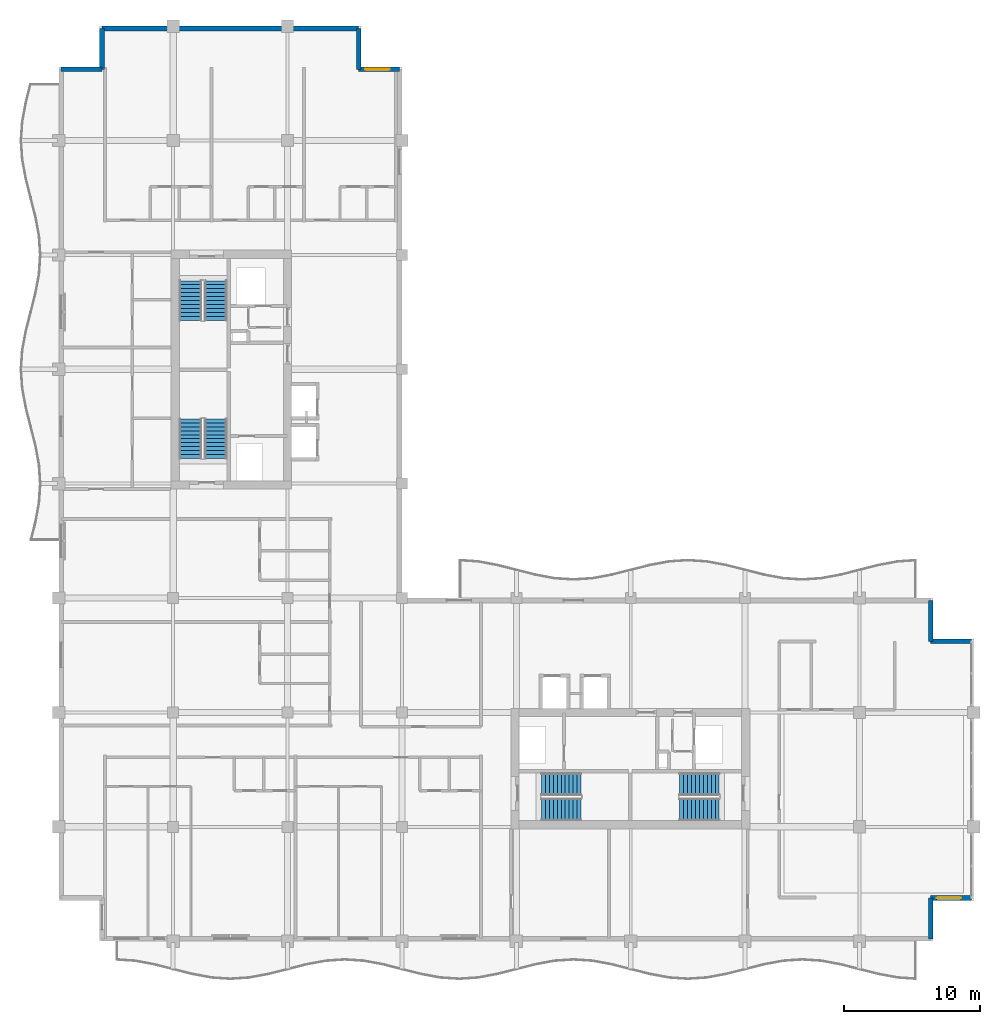
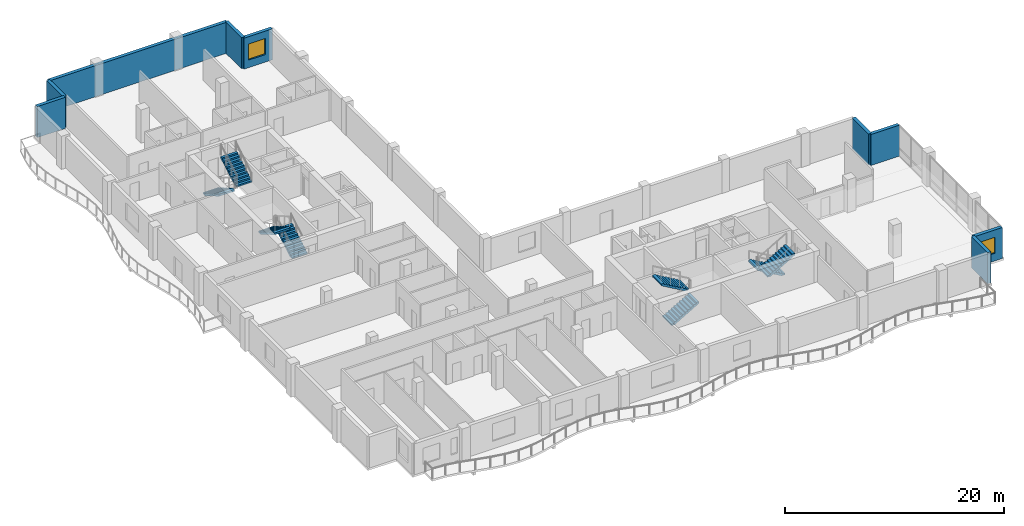
# One storey, part 11 of 16: 9 walls, 8 stair flights, 2 windows, 2 openings, 4 elements without a shape of their own.
"""IFC4 building model written with IfcOpenShell, lengths in metres."""

from ifc_helpers import new_model, si_unit, direction, frame, frame_2d, origin, place, context, subcontext, project, spatial, polyline, rectangle, outline, extrude, material, layer, layer_set, type_object, element, fill, aggregate, save


model = new_model("IFC4")

# Units and contexts
model_context = context("Model", 3, precision=1e-05, world=origin(), true_north=direction((0.0, 1.0)))
body_context = subcontext(model_context, "Body", "Model", "MODEL_VIEW")
ifc_project = project(units=[si_unit("LENGTHUNIT", "METRE"), si_unit("AREAUNIT", "SQUARE_METRE"), si_unit("VOLUMEUNIT", "CUBIC_METRE"), si_unit("PLANEANGLEUNIT", "RADIAN"), si_unit("MASSUNIT", "GRAM", prefix="KILO")], contexts=[model_context])

# Site, building, storey
site_placement = place(None, origin())
site = spatial("IfcSite", under=ifc_project, at=site_placement, CompositionType="ELEMENT")
building_placement = place(site_placement, origin())
building = spatial("IfcBuilding", under=site, at=building_placement, Name="Koriwani Terraces Tower", CompositionType="ELEMENT")
storey_placement = place(building_placement, frame((0.0, 0.0, 260.10009765625)))
storey = spatial("IfcBuildingStorey", under=building, at=storey_placement, Name="L64", CompositionType="ELEMENT", Elevation=260.10009765625)

# Walls
ifc_material_1 = material(Name="Concrete C50/60", Category="concrete")
ifc_layer = layer(ifc_material_1, 0.35009765625, Name="Concrete C50/60")
ifc_layer_set = layer_set([ifc_layer], Name="Concrete C50/60")
wall_type = type_object("IfcWallType", Name="WALL_EXT_BRUTALIST_350", PredefinedType="STANDARD", material=ifc_layer_set)
for number, where, z_axis, x_axis, name in (
    (1, (8.574951171875, 72.425048828125, 0.0), (0.0, 0.0, 1.0), (1.0, 0.0, 0.0), "L64 Fair-Faced Brutalist Exterior Wall (N3)"),
    (2, (11.574951171875, 72.425048828125, 0.0), (0.0, 0.0, 1.0), (0.0, 1.0, 0.0), "L64 Fair-Faced Brutalist Exterior Wall (N4)"),
):
    element("IfcWall", number, at=place(storey_placement, frame(where, z_axis=z_axis, x_axis=x_axis)), inside=storey, type_object=wall_type, Name=name, PredefinedType="STANDARD", context=body_context, shape_type="SweptSolid", body=[
        extrude(rectangle(XDim=3.0, YDim=0.35009765625, at=frame_2d((1.5, 0.0))), origin(), (0.0, 0.0, 1.0), 3.469970703125),
    ])
wall_1_placement = place(storey_placement, frame((11.574951171875, 75.425048828125, 0.0), z_axis=(0.0, 0.0, 1.0), x_axis=(1.0, 0.0, 0.0)))
element("IfcWall", 3, at=wall_1_placement, inside=storey, type_object=wall_type, Name="L64 Fair-Faced Brutalist Exterior Wall (N_TIP)", PredefinedType="STANDARD", context=body_context, shape_type="SweptSolid", body=[
    extrude(rectangle(XDim=18.85009765625, YDim=0.35009765625, at=frame_2d((9.425048828125, 0.0))), origin(), (0.0, 0.0, 1.0), 3.469970703125),
])
wall_2_placement = place(storey_placement, frame((30.425048828125, 75.425048828125, 0.0), z_axis=(0.0, 0.0, 1.0), x_axis=(0.0, -1.0, 0.0)))
element("IfcWall", 4, at=wall_2_placement, inside=storey, type_object=wall_type, Name="L64 Fair-Faced Brutalist Exterior Wall (N6)", PredefinedType="STANDARD", context=body_context, shape_type="SweptSolid", body=[
    extrude(rectangle(XDim=3.0, YDim=0.35009765625, at=frame_2d((1.5, 0.0))), origin(), (0.0, 0.0, 1.0), 3.469970703125),
])

# Wall, opening, window
wall_3_placement = place(storey_placement, frame((30.425048828125, 72.425048828125, 0.0), z_axis=(0.0, 0.0, 1.0), x_axis=(1.0, 0.0, 0.0)))
wall_3 = element("IfcWall", 5, at=wall_3_placement, inside=storey, type_object=wall_type, Name="L64 Fair-Faced Brutalist Exterior Wall (N7)", PredefinedType="STANDARD", context=body_context, shape_type="SweptSolid", body=[
    extrude(rectangle(XDim=3.0, YDim=0.35009765625, at=frame_2d((1.5, 0.0))), origin(), (0.0, 0.0, 1.0), 3.469970703125),
])
opening_1_placement = place(wall_3_placement, frame((0.472412109375, 0.0, 0.85009765625)))
opening_1 = element("IfcOpeningElement", 6, at=opening_1_placement, cuts=wall_3, Name="Opening W-04", PredefinedType="OPENING", context=body_context, shape_type="SweptSolid", body=[
    extrude(rectangle(XDim=1.800048828125, YDim=1.800048828125, at=frame_2d((0.89990234375, 0.89990234375))), frame((0.0, 0.18505859375, 0.0), z_axis=(0.0, -1.0, 0.0), x_axis=(1.0, 0.0, 0.0)), (0.0, 0.0, 1.0), 0.3701171875),
])
ifc_material_2 = material(Name="Tempered Laminated Low-E Glass", Category="glass")
window_type = type_object("IfcWindowType", Name="WIN_RES_BED_1800X1800", PartitioningType="DOUBLE_PANEL_VERTICAL", PredefinedType="WINDOW", material=ifc_material_2)
window_1_placement = place(opening_1_placement, origin())
window_1 = element("IfcWindow", 7, at=window_1_placement, inside=storey, type_object=window_type, Name="L64 Exterior Window (N7-R56)", OverallHeight=1.800048828125, OverallWidth=1.800048828125, PartitioningType="SINGLE_PANEL", PredefinedType="WINDOW", context=body_context, shape_type="SweptSolid", body=[
    extrude(rectangle(XDim=1.800048828125, YDim=1.800048828125, at=frame_2d((0.89990234375, 0.89990234375))), frame((0.0, 0.030029296875, 0.0), z_axis=(0.0, -1.0, 0.0), x_axis=(1.0, 0.0, 0.0)), (0.0, 0.0, 1.0), 0.06005859375),
])
fill(opening_1, window_1)

# Walls
for number, where, z_axis, x_axis, name in (
    (8, (72.425048828125, 33.425048828125, 0.0), (0.0, 0.0, 1.0), (0.0, -1.0, 0.0), "L64 Fair-Faced Brutalist Exterior Wall (N10)"),
    (9, (72.425048828125, 30.425048828125, 0.0), (0.0, 0.0, 1.0), (1.0, 0.0, 0.0), "L64 Fair-Faced Brutalist Exterior Wall (N11)"),
):
    element("IfcWall", number, at=place(storey_placement, frame(where, z_axis=z_axis, x_axis=x_axis)), inside=storey, type_object=wall_type, Name=name, PredefinedType="STANDARD", context=body_context, shape_type="SweptSolid", body=[
        extrude(rectangle(XDim=3.0, YDim=0.35009765625, at=frame_2d((1.5, 0.0))), origin(), (0.0, 0.0, 1.0), 3.469970703125),
    ])

# Wall, opening, window
wall_4_placement = place(storey_placement, frame((75.425048828125, 11.574951171875, 0.0), z_axis=(0.0, 0.0, 1.0), x_axis=(-1.0, 0.0, 0.0)))
wall_4 = element("IfcWall", 10, at=wall_4_placement, inside=storey, type_object=wall_type, Name="L64 Fair-Faced Brutalist Exterior Wall (N13)", PredefinedType="STANDARD", context=body_context, shape_type="SweptSolid", body=[
    extrude(rectangle(XDim=3.0, YDim=0.35009765625, at=frame_2d((1.5, 0.0))), origin(), (0.0, 0.0, 1.0), 3.469970703125),
])
opening_2_placement = place(wall_4_placement, frame((0.762451171875, 0.0, 0.85009765625)))
opening_2 = element("IfcOpeningElement", 11, at=opening_2_placement, cuts=wall_4, Name="Opening W-04", PredefinedType="OPENING", context=body_context, shape_type="SweptSolid", body=[
    extrude(rectangle(XDim=1.800048828125, YDim=1.800048828125, at=frame_2d((0.89990234375, 0.89990234375))), frame((0.0, 0.18505859375, 0.0), z_axis=(0.0, -1.0, 0.0), x_axis=(1.0, 0.0, 0.0)), (0.0, 0.0, 1.0), 0.3701171875),
])
window_2_placement = place(opening_2_placement, origin())
window_2 = element("IfcWindow", 12, at=window_2_placement, inside=storey, type_object=window_type, Name="L64 Exterior Window (N13-R59)", OverallHeight=1.800048828125, OverallWidth=1.800048828125, PartitioningType="SINGLE_PANEL", PredefinedType="WINDOW", context=body_context, shape_type="SweptSolid", body=[
    extrude(rectangle(XDim=1.800048828125, YDim=1.800048828125, at=frame_2d((0.89990234375, 0.89990234375))), frame((0.0, 0.030029296875, 0.0), z_axis=(0.0, -1.0, 0.0), x_axis=(1.0, 0.0, 0.0)), (0.0, 0.0, 1.0), 0.06005859375),
])
fill(opening_2, window_2)

# Wall
wall_5_placement = place(storey_placement, frame((72.425048828125, 11.574951171875, 0.0), z_axis=(0.0, 0.0, 1.0), x_axis=(0.0, -1.0, 0.0)))
element("IfcWall", 13, at=wall_5_placement, inside=storey, type_object=wall_type, Name="L64 Fair-Faced Brutalist Exterior Wall (N14)", PredefinedType="STANDARD", context=body_context, shape_type="SweptSolid", body=[
    extrude(rectangle(XDim=3.0, YDim=0.35009765625, at=frame_2d((1.5, 0.0))), origin(), (0.0, 0.0, 1.0), 3.469970703125),
])

# Stair, stair flights
ifc_material_3 = material(Name="Concrete C40/50", Category="concrete")
stair_type = type_object("IfcStairType", Name="STAIR_CORE_DOGLEG_1650", PredefinedType="TWO_STRAIGHT_RUN_STAIR", material=ifc_material_3)
stair_1_placement = place(storey_placement, origin())
stair_1 = element("IfcStair", 14, at=stair_1_placement, inside=storey, type_object=stair_type, Name="L64 West Core Exit Stair 1", PredefinedType="HALF_TURN_STAIR")
stair_flight_type = type_object("IfcStairFlightType", Name="STAIR_FLIGHT_RC_1650", PredefinedType="STRAIGHT", material=ifc_material_3)
stair_flight_1_placement = place(storey_placement, frame((19.925048828125, 43.85009765625, 0.0), z_axis=(0.0, 0.0, 1.0), x_axis=(0.0, 1.0, 0.0)))
stair_flight_1 = element("IfcStairFlight", 15, at=stair_flight_1_placement, type_object=stair_flight_type, Name="ST-W1 flight 1", NumberOfRisers=11, NumberOfTreads=10, PredefinedType="STRAIGHT", RiserHeight=0.168181818, TreadLength=0.29, context=body_context, shape_type="SweptSolid", body=[
    extrude(outline(polyline([(0.0, 0.0), (0.0, 0.168212890625), (0.2900390625, 0.168212890625), (0.2900390625, 0.33642578125), (0.580078125, 0.33642578125), (0.580078125, 0.504638671875), (0.8701171875, 0.504638671875), (0.8701171875, 0.672607421875), (1.159912109375, 0.672607421875), (1.159912109375, 0.8408203125), (1.449951171875, 0.8408203125), (1.449951171875, 1.009033203125), (1.739990234375, 1.009033203125), (1.739990234375, 1.17724609375), (2.030029296875, 1.17724609375), (2.030029296875, 1.345458984375), (2.320068359375, 1.345458984375), (2.320068359375, 1.513671875), (2.610107421875, 1.513671875), (2.610107421875, 1.681884765625), (2.89990234375, 1.681884765625), (2.89990234375, 1.85009765625), (2.89990234375, 1.473876953125), (0.358642578125, 0.0), (0.0, 0.0)])), frame((0.0, 0.824951171875, 0.0), z_axis=(0.0, -1.0, 0.0), x_axis=(1.0, 0.0, 0.0)), (0.0, 0.0, 1.0), 1.64990234375),
])
stair_flight_2_placement = place(storey_placement, frame((18.074951171875, 46.75, 1.849853515625), z_axis=(0.0, 0.0, 1.0), x_axis=(0.0, -1.0, 0.0)))
stair_flight_2 = element("IfcStairFlight", 16, at=stair_flight_2_placement, type_object=stair_flight_type, Name="ST-W1 flight 2", NumberOfRisers=11, NumberOfTreads=10, PredefinedType="STRAIGHT", RiserHeight=0.168181818, TreadLength=0.29, context=body_context, shape_type="SweptSolid", body=[
    extrude(outline(polyline([(0.0, 0.0), (0.0, 0.168212890625), (0.2900390625, 0.168212890625), (0.2900390625, 0.33642578125), (0.580078125, 0.33642578125), (0.580078125, 0.504638671875), (0.8701171875, 0.504638671875), (0.8701171875, 0.672607421875), (1.159912109375, 0.672607421875), (1.159912109375, 0.8408203125), (1.449951171875, 0.8408203125), (1.449951171875, 1.009033203125), (1.739990234375, 1.009033203125), (1.739990234375, 1.17724609375), (2.030029296875, 1.17724609375), (2.030029296875, 1.345458984375), (2.320068359375, 1.345458984375), (2.320068359375, 1.513671875), (2.610107421875, 1.513671875), (2.610107421875, 1.681884765625), (2.89990234375, 1.681884765625), (2.89990234375, 1.85009765625), (2.89990234375, 1.473876953125), (0.358642578125, 0.0), (0.0, 0.0)])), frame((0.0, 0.824951171875, 0.0), z_axis=(0.0, -1.0, 0.0), x_axis=(1.0, 0.0, 0.0)), (0.0, 0.0, 1.0), 1.64990234375),
])
aggregate(stair_1, [stair_flight_1, stair_flight_2])

stair_2_placement = place(storey_placement, origin())
stair_2 = element("IfcStair", 17, at=stair_2_placement, inside=storey, type_object=stair_type, Name="L64 West Core Exit Stair 2", PredefinedType="HALF_TURN_STAIR")
stair_flight_3_placement = place(storey_placement, frame((18.074951171875, 56.89990234375, 0.0), z_axis=(0.0, 0.0, 1.0), x_axis=(0.0, -1.0, 0.0)))
stair_flight_3 = element("IfcStairFlight", 18, at=stair_flight_3_placement, type_object=stair_flight_type, Name="ST-W2 flight 1", NumberOfRisers=11, NumberOfTreads=10, PredefinedType="STRAIGHT", RiserHeight=0.168181818, TreadLength=0.29, context=body_context, shape_type="SweptSolid", body=[
    extrude(outline(polyline([(0.0, 0.0), (0.0, 0.168212890625), (0.2900390625, 0.168212890625), (0.2900390625, 0.33642578125), (0.580078125, 0.33642578125), (0.580078125, 0.504638671875), (0.8701171875, 0.504638671875), (0.8701171875, 0.672607421875), (1.159912109375, 0.672607421875), (1.159912109375, 0.8408203125), (1.449951171875, 0.8408203125), (1.449951171875, 1.009033203125), (1.739990234375, 1.009033203125), (1.739990234375, 1.17724609375), (2.030029296875, 1.17724609375), (2.030029296875, 1.345458984375), (2.320068359375, 1.345458984375), (2.320068359375, 1.513671875), (2.610107421875, 1.513671875), (2.610107421875, 1.681884765625), (2.89990234375, 1.681884765625), (2.89990234375, 1.85009765625), (2.89990234375, 1.473876953125), (0.358642578125, 0.0), (0.0, 0.0)])), frame((0.0, 0.824951171875, 0.0), z_axis=(0.0, -1.0, 0.0), x_axis=(1.0, 0.0, 0.0)), (0.0, 0.0, 1.0), 1.64990234375),
])
stair_flight_4_placement = place(storey_placement, frame((19.925048828125, 54.0, 1.849853515625), z_axis=(0.0, 0.0, 1.0), x_axis=(0.0, 1.0, 0.0)))
stair_flight_4 = element("IfcStairFlight", 19, at=stair_flight_4_placement, type_object=stair_flight_type, Name="ST-W2 flight 2", NumberOfRisers=11, NumberOfTreads=10, PredefinedType="STRAIGHT", RiserHeight=0.168181818, TreadLength=0.29, context=body_context, shape_type="SweptSolid", body=[
    extrude(outline(polyline([(0.0, 0.0), (0.0, 0.168212890625), (0.2900390625, 0.168212890625), (0.2900390625, 0.33642578125), (0.580078125, 0.33642578125), (0.580078125, 0.504638671875), (0.8701171875, 0.504638671875), (0.8701171875, 0.672607421875), (1.159912109375, 0.672607421875), (1.159912109375, 0.8408203125), (1.449951171875, 0.8408203125), (1.449951171875, 1.009033203125), (1.739990234375, 1.009033203125), (1.739990234375, 1.17724609375), (2.030029296875, 1.17724609375), (2.030029296875, 1.345458984375), (2.320068359375, 1.345458984375), (2.320068359375, 1.513671875), (2.610107421875, 1.513671875), (2.610107421875, 1.681884765625), (2.89990234375, 1.681884765625), (2.89990234375, 1.85009765625), (2.89990234375, 1.473876953125), (0.358642578125, 0.0), (0.0, 0.0)])), frame((0.0, 0.824951171875, 0.0), z_axis=(0.0, -1.0, 0.0), x_axis=(1.0, 0.0, 0.0)), (0.0, 0.0, 1.0), 1.64990234375),
])
aggregate(stair_2, [stair_flight_3, stair_flight_4])

stair_3_placement = place(storey_placement, origin())
stair_3 = element("IfcStair", 20, at=stair_3_placement, inside=storey, type_object=stair_type, Name="L64 East Core Exit Stair 1", PredefinedType="HALF_TURN_STAIR")
stair_flight_5_placement = place(storey_placement, frame((43.85009765625, 18.074951171875, 0.0), z_axis=(0.0, 0.0, 1.0), x_axis=(1.0, 0.0, 0.0)))
stair_flight_5 = element("IfcStairFlight", 21, at=stair_flight_5_placement, type_object=stair_flight_type, Name="ST-E1 flight 1", NumberOfRisers=11, NumberOfTreads=10, PredefinedType="STRAIGHT", RiserHeight=0.168181818, TreadLength=0.29, context=body_context, shape_type="SweptSolid", body=[
    extrude(outline(polyline([(0.0, 0.0), (0.0, 0.168212890625), (0.2900390625, 0.168212890625), (0.2900390625, 0.33642578125), (0.580078125, 0.33642578125), (0.580078125, 0.504638671875), (0.8701171875, 0.504638671875), (0.8701171875, 0.672607421875), (1.159912109375, 0.672607421875), (1.159912109375, 0.8408203125), (1.449951171875, 0.8408203125), (1.449951171875, 1.009033203125), (1.739990234375, 1.009033203125), (1.739990234375, 1.17724609375), (2.030029296875, 1.17724609375), (2.030029296875, 1.345458984375), (2.320068359375, 1.345458984375), (2.320068359375, 1.513671875), (2.610107421875, 1.513671875), (2.610107421875, 1.681884765625), (2.89990234375, 1.681884765625), (2.89990234375, 1.85009765625), (2.89990234375, 1.473876953125), (0.358642578125, 0.0), (0.0, 0.0)])), frame((0.0, 0.824951171875, 0.0), z_axis=(0.0, -1.0, 0.0), x_axis=(1.0, 0.0, 0.0)), (0.0, 0.0, 1.0), 1.64990234375),
])
stair_flight_6_placement = place(storey_placement, frame((46.75, 19.925048828125, 1.849853515625), z_axis=(0.0, 0.0, 1.0), x_axis=(-1.0, 0.0, 0.0)))
stair_flight_6 = element("IfcStairFlight", 22, at=stair_flight_6_placement, type_object=stair_flight_type, Name="ST-E1 flight 2", NumberOfRisers=11, NumberOfTreads=10, PredefinedType="STRAIGHT", RiserHeight=0.168181818, TreadLength=0.29, context=body_context, shape_type="SweptSolid", body=[
    extrude(outline(polyline([(0.0, 0.0), (0.0, 0.168212890625), (0.2900390625, 0.168212890625), (0.2900390625, 0.33642578125), (0.580078125, 0.33642578125), (0.580078125, 0.504638671875), (0.8701171875, 0.504638671875), (0.8701171875, 0.672607421875), (1.159912109375, 0.672607421875), (1.159912109375, 0.8408203125), (1.449951171875, 0.8408203125), (1.449951171875, 1.009033203125), (1.739990234375, 1.009033203125), (1.739990234375, 1.17724609375), (2.030029296875, 1.17724609375), (2.030029296875, 1.345458984375), (2.320068359375, 1.345458984375), (2.320068359375, 1.513671875), (2.610107421875, 1.513671875), (2.610107421875, 1.681884765625), (2.89990234375, 1.681884765625), (2.89990234375, 1.85009765625), (2.89990234375, 1.473876953125), (0.358642578125, 0.0), (0.0, 0.0)])), frame((0.0, 0.824951171875, 0.0), z_axis=(0.0, -1.0, 0.0), x_axis=(1.0, 0.0, 0.0)), (0.0, 0.0, 1.0), 1.64990234375),
])
aggregate(stair_3, [stair_flight_5, stair_flight_6])

stair_4_placement = place(storey_placement, origin())
stair_4 = element("IfcStair", 23, at=stair_4_placement, inside=storey, type_object=stair_type, Name="L64 East Core Exit Stair 2", PredefinedType="HALF_TURN_STAIR")
stair_flight_7_placement = place(storey_placement, frame((56.89990234375, 19.925048828125, 0.0), z_axis=(0.0, 0.0, 1.0), x_axis=(-1.0, 0.0, 0.0)))
stair_flight_7 = element("IfcStairFlight", 24, at=stair_flight_7_placement, type_object=stair_flight_type, Name="ST-E2 flight 1", NumberOfRisers=11, NumberOfTreads=10, PredefinedType="STRAIGHT", RiserHeight=0.168181818, TreadLength=0.29, context=body_context, shape_type="SweptSolid", body=[
    extrude(outline(polyline([(0.0, 0.0), (0.0, 0.168212890625), (0.2900390625, 0.168212890625), (0.2900390625, 0.33642578125), (0.580078125, 0.33642578125), (0.580078125, 0.504638671875), (0.8701171875, 0.504638671875), (0.8701171875, 0.672607421875), (1.159912109375, 0.672607421875), (1.159912109375, 0.8408203125), (1.449951171875, 0.8408203125), (1.449951171875, 1.009033203125), (1.739990234375, 1.009033203125), (1.739990234375, 1.17724609375), (2.030029296875, 1.17724609375), (2.030029296875, 1.345458984375), (2.320068359375, 1.345458984375), (2.320068359375, 1.513671875), (2.610107421875, 1.513671875), (2.610107421875, 1.681884765625), (2.89990234375, 1.681884765625), (2.89990234375, 1.85009765625), (2.89990234375, 1.473876953125), (0.358642578125, 0.0), (0.0, 0.0)])), frame((0.0, 0.824951171875, 0.0), z_axis=(0.0, -1.0, 0.0), x_axis=(1.0, 0.0, 0.0)), (0.0, 0.0, 1.0), 1.64990234375),
])
stair_flight_8_placement = place(storey_placement, frame((54.0, 18.074951171875, 1.849853515625), z_axis=(0.0, 0.0, 1.0), x_axis=(1.0, 0.0, 0.0)))
stair_flight_8 = element("IfcStairFlight", 25, at=stair_flight_8_placement, type_object=stair_flight_type, Name="ST-E2 flight 2", NumberOfRisers=11, NumberOfTreads=10, PredefinedType="STRAIGHT", RiserHeight=0.168181818, TreadLength=0.29, context=body_context, shape_type="SweptSolid", body=[
    extrude(outline(polyline([(0.0, 0.0), (0.0, 0.168212890625), (0.2900390625, 0.168212890625), (0.2900390625, 0.33642578125), (0.580078125, 0.33642578125), (0.580078125, 0.504638671875), (0.8701171875, 0.504638671875), (0.8701171875, 0.672607421875), (1.159912109375, 0.672607421875), (1.159912109375, 0.8408203125), (1.449951171875, 0.8408203125), (1.449951171875, 1.009033203125), (1.739990234375, 1.009033203125), (1.739990234375, 1.17724609375), (2.030029296875, 1.17724609375), (2.030029296875, 1.345458984375), (2.320068359375, 1.345458984375), (2.320068359375, 1.513671875), (2.610107421875, 1.513671875), (2.610107421875, 1.681884765625), (2.89990234375, 1.681884765625), (2.89990234375, 1.85009765625), (2.89990234375, 1.473876953125), (0.358642578125, 0.0), (0.0, 0.0)])), frame((0.0, 0.824951171875, 0.0), z_axis=(0.0, -1.0, 0.0), x_axis=(1.0, 0.0, 0.0)), (0.0, 0.0, 1.0), 1.64990234375),
])
aggregate(stair_4, [stair_flight_7, stair_flight_8])

save(model, "model.ifc")
